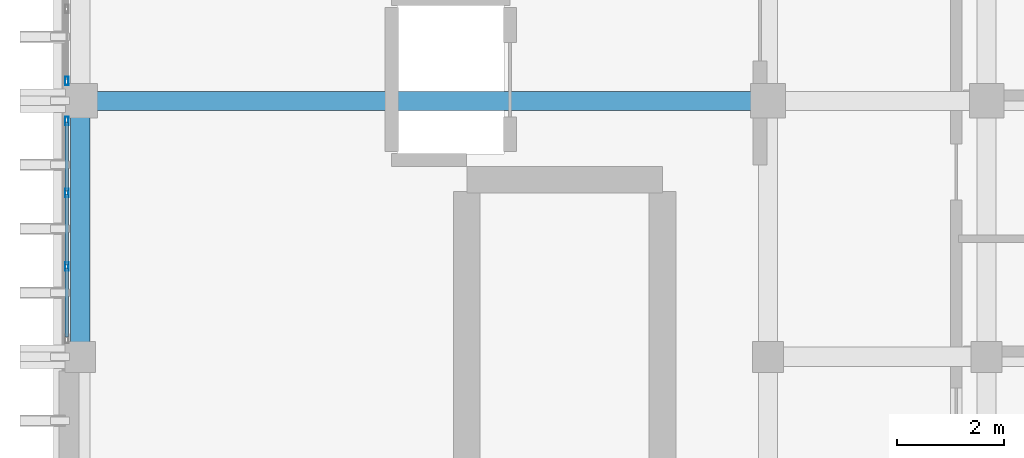
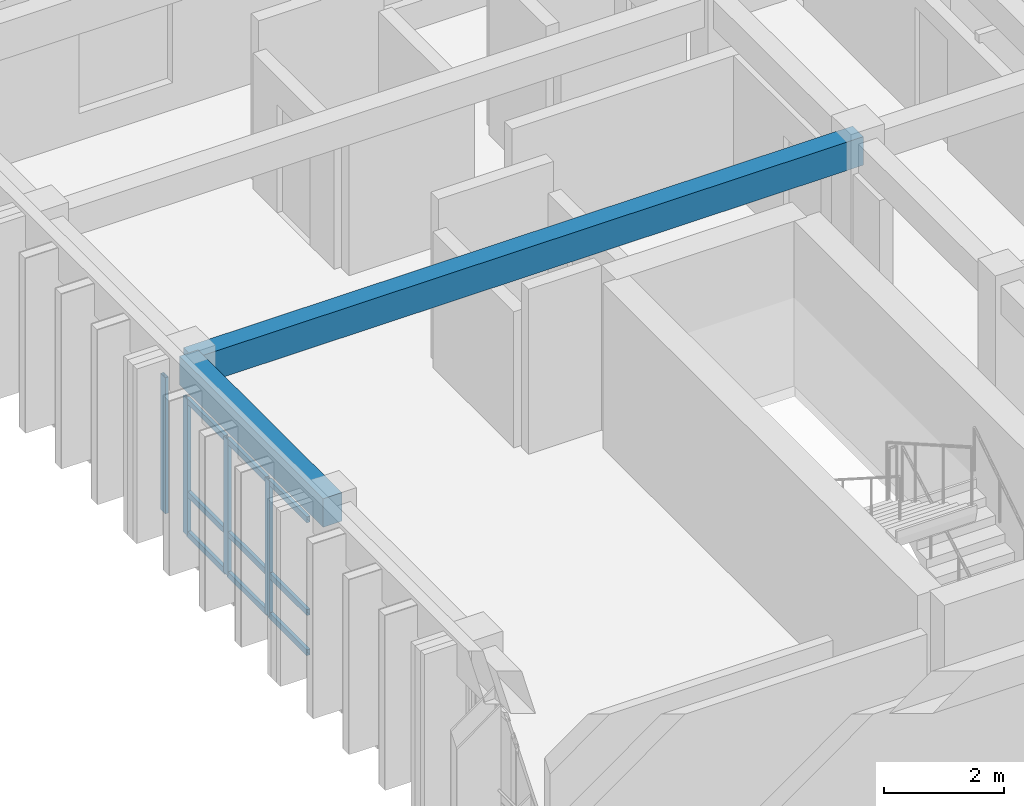
# One storey, part 28 of 49: 13 members, 2 beams, 2 elements without a shape of their own.
"""IFC4 building model written with IfcOpenShell, lengths in metres."""

from ifc_helpers import new_model, si_unit, direction, frame, origin, origin_2d, place, context, subcontext, project, spatial, rectangle, hollow_rectangle, extrude, material, layer, layer_set, material_profile, profile_set, type_object, element, aggregate, save


model = new_model("IFC4")

# Units and contexts
model_context = context("Model", 3, precision=1e-05, world=origin(), true_north=direction((0.0, 1.0)))
body_context = subcontext(model_context, "Body", "Model", "MODEL_VIEW")
ifc_project = project(units=[si_unit("LENGTHUNIT", "METRE"), si_unit("AREAUNIT", "SQUARE_METRE"), si_unit("VOLUMEUNIT", "CUBIC_METRE"), si_unit("PLANEANGLEUNIT", "RADIAN"), si_unit("MASSUNIT", "GRAM", prefix="KILO")], contexts=[model_context])

# Site, building, storey
site_placement = place(None, origin())
site = spatial("IfcSite", under=ifc_project, at=site_placement, CompositionType="ELEMENT")
building_placement = place(site_placement, origin())
building = spatial("IfcBuilding", under=site, at=building_placement, Name="Nakhvara Creek Congress Hotel", CompositionType="ELEMENT")
storey_placement = place(building_placement, frame((0.0, 0.0, 39.0)))
storey = spatial("IfcBuildingStorey", under=building, at=storey_placement, Name="L09", CompositionType="ELEMENT", Elevation=39.0)

# Beams
ifc_material_1 = material(Name="Concrete C40/50", Category="concrete")
ifc_material_profile_1 = material_profile(ifc_material_1, rectangle(XDim=0.360107421875, YDim=0.580078125, at=origin_2d()), Name="RC-BM 360x580", Category="LoadBearing")
ifc_profile_set_1 = profile_set([ifc_material_profile_1], Name="Concrete C40/50")
beam_type = type_object("IfcBeamType", Name="BM-RC-360X580", PredefinedType="BEAM", material=ifc_profile_set_1)
beam_1_placement = place(storey_placement, frame((149.449951171875, 115.199951171875, 3.070068359375), z_axis=(1.0, 0.0, 0.0), x_axis=(0.0, 1.0, 0.0)))
element("IfcBeam", 1, at=beam_1_placement, inside=storey, type_object=beam_type, Name="Beam B09-L09-2548", PredefinedType="BEAM", context=body_context, shape_type="SweptSolid", body=[
    extrude(rectangle(XDim=0.360107421875, YDim=0.580078125, at=origin_2d()), origin(), (0.0, 0.0, 1.0), 12.900146484375),
])
beam_2_placement = place(storey_placement, frame((149.449951171875, 110.39990234375, 3.070068359375), z_axis=(0.0, 1.0, 0.0), x_axis=(-1.0, 0.0, 0.0)))
element("IfcBeam", 2, at=beam_2_placement, inside=storey, type_object=beam_type, Name="Beam B09-L09-2549", PredefinedType="BEAM", context=body_context, shape_type="SweptSolid", body=[
    extrude(rectangle(XDim=0.360107421875, YDim=0.580078125, at=origin_2d()), origin(), (0.0, 0.0, 1.0), 4.800048828125),
])

# Curtain wall, members
ifc_material_2 = material(Name="Bronze-anodised aluminium AW-6063-T6 and double-silver low-E glass", Category="aluminium")
ifc_layer = layer(ifc_material_2, 0.199951171875)
ifc_layer_set = layer_set([ifc_layer], Name="Bronze-anodised aluminium AW-6063-T6 and double-silver low-E glass")
curtain_wall_type = type_object("IfcCurtainWallType", Name="CW-HTL-UNIT", PredefinedType="USERDEFINED", material=ifc_layer_set)
curtain_wall_1_placement = place(storey_placement, origin())
curtain_wall_1 = element("IfcCurtainWall", 3, at=curtain_wall_1_placement, inside=storey, type_object=curtain_wall_type, Name="Curtain Wall CW310", ObjectType="UNITISED", PredefinedType="USERDEFINED")
ifc_material_3 = material(Name="Bronze-anodised aluminium AW-6063-T6", Category="aluminium")
ifc_material_profile_2 = material_profile(ifc_material_3, hollow_rectangle(XDim=0.06494140625, YDim=0.159912109375, WallThickness=0.00390625, at=origin_2d()), Name="ALU-MULL 65x160x4", Category="LoadBearing")
ifc_profile_set_2 = profile_set([ifc_material_profile_2], Name="Bronze-anodised aluminium AW-6063-T6")
member_type_1 = type_object("IfcMemberType", Name="CW-MULL-160", PredefinedType="MULLION", material=ifc_profile_set_2)
member_1_placement = place(storey_placement, frame((149.199951171875, 112.090087890625, 0.0), z_axis=(0.0, 0.0, 1.0), x_axis=(-1.0, 0.0, 0.0)))
member_1 = element("IfcMember", 4, at=member_1_placement, type_object=member_type_1, Name="CW310 mullion 2", PredefinedType="MULLION", context=body_context, shape_type="SweptSolid", body=[
    extrude(hollow_rectangle(XDim=0.06494140625, YDim=0.159912109375, WallThickness=0.00390625, at=origin_2d()), origin(), (0.0, 0.0, 1.0), 2.77197265625),
])
member_2_placement = place(storey_placement, frame((149.199951171875, 113.47509765625, 0.0), z_axis=(0.0, 0.0, 1.0), x_axis=(-1.0, 0.0, 0.0)))
member_2 = element("IfcMember", 5, at=member_2_placement, type_object=member_type_1, Name="CW310 mullion 3", PredefinedType="MULLION", context=body_context, shape_type="SweptSolid", body=[
    extrude(hollow_rectangle(XDim=0.06494140625, YDim=0.159912109375, WallThickness=0.00390625, at=origin_2d()), origin(), (0.0, 0.0, 1.0), 2.77197265625),
])
member_3_placement = place(storey_placement, frame((149.199951171875, 114.827392578125, 0.0), z_axis=(0.0, 0.0, 1.0), x_axis=(-1.0, 0.0, 0.0)))
member_3 = element("IfcMember", 6, at=member_3_placement, type_object=member_type_1, Name="CW310 mullion 4", PredefinedType="MULLION", context=body_context, shape_type="SweptSolid", body=[
    extrude(hollow_rectangle(XDim=0.06494140625, YDim=0.159912109375, WallThickness=0.00390625, at=origin_2d()), origin(), (0.0, 0.0, 1.0), 2.77197265625),
])

# Curtain wall, member
curtain_wall_2_placement = place(storey_placement, origin())
curtain_wall_2 = element("IfcCurtainWall", 7, at=curtain_wall_2_placement, inside=storey, type_object=curtain_wall_type, Name="Curtain Wall CW312", ObjectType="UNITISED", PredefinedType="USERDEFINED")
member_4_placement = place(storey_placement, frame((149.199951171875, 115.572509765625, 0.0), z_axis=(0.0, 0.0, 1.0), x_axis=(-1.0, 0.0, 0.0)))
member_4 = element("IfcMember", 8, at=member_4_placement, type_object=member_type_1, Name="CW312 mullion 1", PredefinedType="MULLION", context=body_context, shape_type="SweptSolid", body=[
    extrude(hollow_rectangle(XDim=0.06494140625, YDim=0.159912109375, WallThickness=0.00390625, at=origin_2d()), origin(), (0.0, 0.0, 1.0), 2.77197265625),
])
aggregate(curtain_wall_2, [member_4])

# Member
ifc_material_profile_3 = material_profile(ifc_material_3, hollow_rectangle(XDim=0.06494140625, YDim=0.1201171875, WallThickness=0.00390625, at=origin_2d()), Name="ALU-TRAN 65x120x4", Category="LoadBearing")
ifc_profile_set_3 = profile_set([ifc_material_profile_3], Name="Bronze-anodised aluminium AW-6063-T6")
member_type_2 = type_object("IfcMemberType", Name="CW-TRAN-120", PredefinedType="USERDEFINED", material=ifc_profile_set_3)
member_5_placement = place(storey_placement, frame((149.199951171875, 110.77001953125, 0.032470703125), z_axis=(0.0, 1.0, 0.0), x_axis=(-1.0, 0.0, 0.0)))
member_5 = element("IfcMember", 9, at=member_5_placement, type_object=member_type_2, Name="CW310 transom 1.1", ObjectType="TRANSOM", PredefinedType="USERDEFINED", context=body_context, shape_type="SweptSolid", body=[
    extrude(hollow_rectangle(XDim=0.06494140625, YDim=0.1201171875, WallThickness=0.00390625, at=origin_2d()), origin(), (0.0, 0.0, 1.0), 1.28759765625),
])

member_6_placement = place(storey_placement, frame((149.199951171875, 110.77001953125, 0.85009765625), z_axis=(0.0, 1.0, 0.0), x_axis=(-1.0, 0.0, 0.0)))
member_6 = element("IfcMember", 10, at=member_6_placement, type_object=member_type_2, Name="CW310 transom 1.2", ObjectType="TRANSOM", PredefinedType="USERDEFINED", context=body_context, shape_type="SweptSolid", body=[
    extrude(hollow_rectangle(XDim=0.06494140625, YDim=0.1201171875, WallThickness=0.00390625, at=origin_2d()), origin(), (0.0, 0.0, 1.0), 1.28759765625),
])

member_7_placement = place(storey_placement, frame((149.199951171875, 110.77001953125, 2.739501953125), z_axis=(0.0, 1.0, 0.0), x_axis=(-1.0, 0.0, 0.0)))
member_7 = element("IfcMember", 11, at=member_7_placement, type_object=member_type_2, Name="CW310 transom 1.3", ObjectType="TRANSOM", PredefinedType="USERDEFINED", context=body_context, shape_type="SweptSolid", body=[
    extrude(hollow_rectangle(XDim=0.06494140625, YDim=0.1201171875, WallThickness=0.00390625, at=origin_2d()), origin(), (0.0, 0.0, 1.0), 1.28759765625),
])

member_8_placement = place(storey_placement, frame((149.199951171875, 112.12255859375, 0.032470703125), z_axis=(0.0, 1.0, 0.0), x_axis=(-1.0, 0.0, 0.0)))
member_8 = element("IfcMember", 12, at=member_8_placement, type_object=member_type_2, Name="CW310 transom 2.1", ObjectType="TRANSOM", PredefinedType="USERDEFINED", context=body_context, shape_type="SweptSolid", body=[
    extrude(hollow_rectangle(XDim=0.06494140625, YDim=0.1201171875, WallThickness=0.00390625, at=origin_2d()), origin(), (0.0, 0.0, 1.0), 1.31982421875),
])

member_9_placement = place(storey_placement, frame((149.199951171875, 112.12255859375, 0.85009765625), z_axis=(0.0, 1.0, 0.0), x_axis=(-1.0, 0.0, 0.0)))
member_9 = element("IfcMember", 13, at=member_9_placement, type_object=member_type_2, Name="CW310 transom 2.2", ObjectType="TRANSOM", PredefinedType="USERDEFINED", context=body_context, shape_type="SweptSolid", body=[
    extrude(hollow_rectangle(XDim=0.06494140625, YDim=0.1201171875, WallThickness=0.00390625, at=origin_2d()), origin(), (0.0, 0.0, 1.0), 1.31982421875),
])

member_10_placement = place(storey_placement, frame((149.199951171875, 112.12255859375, 2.739501953125), z_axis=(0.0, 1.0, 0.0), x_axis=(-1.0, 0.0, 0.0)))
member_10 = element("IfcMember", 14, at=member_10_placement, type_object=member_type_2, Name="CW310 transom 2.3", ObjectType="TRANSOM", PredefinedType="USERDEFINED", context=body_context, shape_type="SweptSolid", body=[
    extrude(hollow_rectangle(XDim=0.06494140625, YDim=0.1201171875, WallThickness=0.00390625, at=origin_2d()), origin(), (0.0, 0.0, 1.0), 1.31982421875),
])

member_11_placement = place(storey_placement, frame((149.199951171875, 113.507568359375, 0.032470703125), z_axis=(0.0, 1.0, 0.0), x_axis=(-1.0, 0.0, 0.0)))
member_11 = element("IfcMember", 15, at=member_11_placement, type_object=member_type_2, Name="CW310 transom 3.1", ObjectType="TRANSOM", PredefinedType="USERDEFINED", context=body_context, shape_type="SweptSolid", body=[
    extrude(hollow_rectangle(XDim=0.06494140625, YDim=0.1201171875, WallThickness=0.00390625, at=origin_2d()), origin(), (0.0, 0.0, 1.0), 1.287353515625),
])

member_12_placement = place(storey_placement, frame((149.199951171875, 113.507568359375, 0.85009765625), z_axis=(0.0, 1.0, 0.0), x_axis=(-1.0, 0.0, 0.0)))
member_12 = element("IfcMember", 16, at=member_12_placement, type_object=member_type_2, Name="CW310 transom 3.2", ObjectType="TRANSOM", PredefinedType="USERDEFINED", context=body_context, shape_type="SweptSolid", body=[
    extrude(hollow_rectangle(XDim=0.06494140625, YDim=0.1201171875, WallThickness=0.00390625, at=origin_2d()), origin(), (0.0, 0.0, 1.0), 1.287353515625),
])

member_13_placement = place(storey_placement, frame((149.199951171875, 113.507568359375, 2.739501953125), z_axis=(0.0, 1.0, 0.0), x_axis=(-1.0, 0.0, 0.0)))
member_13 = element("IfcMember", 17, at=member_13_placement, type_object=member_type_2, Name="CW310 transom 3.3", ObjectType="TRANSOM", PredefinedType="USERDEFINED", context=body_context, shape_type="SweptSolid", body=[
    extrude(hollow_rectangle(XDim=0.06494140625, YDim=0.1201171875, WallThickness=0.00390625, at=origin_2d()), origin(), (0.0, 0.0, 1.0), 1.287353515625),
])

aggregate(curtain_wall_1, [member_1, member_2, member_3, member_5, member_6, member_7, member_8, member_9, member_10, member_11, member_12, member_13])

save(model, "model.ifc")
